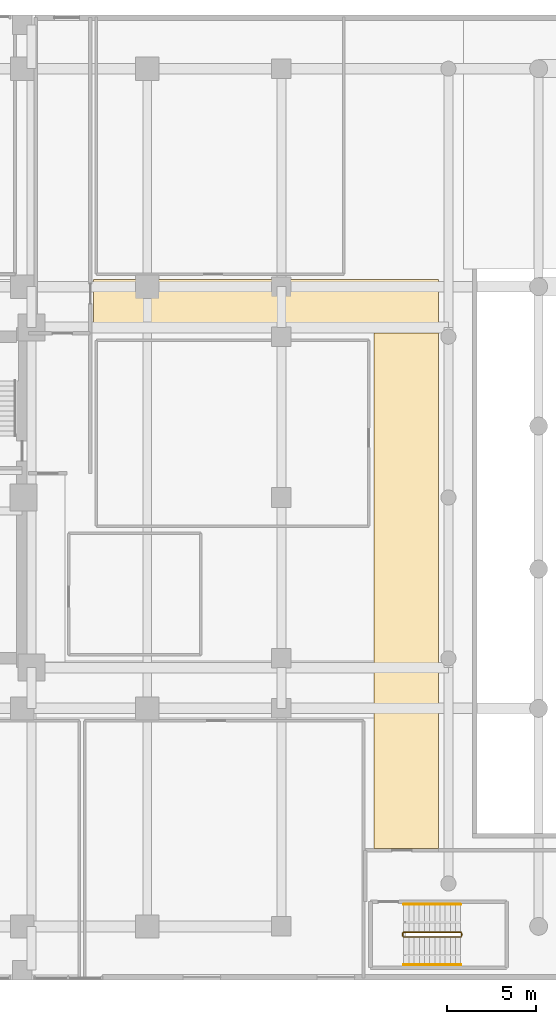
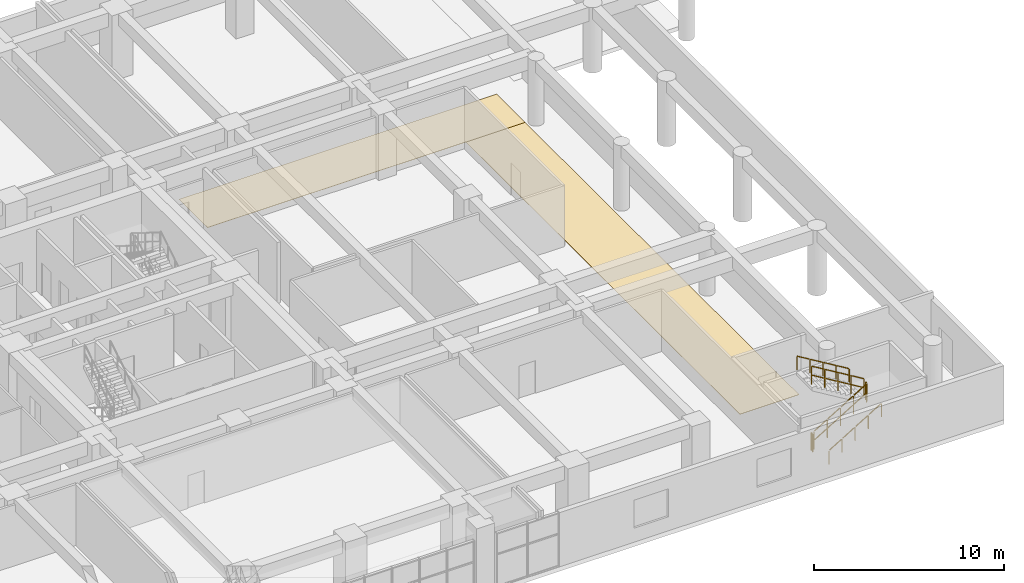
# One storey, part 24 of 24: 6 railings, 2 coverings.
"""IFC4 building model written with IfcOpenShell, lengths in metres."""

from ifc_helpers import new_model, si_unit, direction, frame, origin, origin_2d, place, context, subcontext, project, spatial, polyline, rectangle, outline, extrude, material, layer, layer_set, type_object, element, save


model = new_model("IFC4")

# Units and contexts
model_context = context("Model", 3, precision=1e-05, world=origin(), true_north=direction((0.0, 1.0)))
body_context = subcontext(model_context, "Body", "Model", "MODEL_VIEW")
ifc_project = project(units=[si_unit("LENGTHUNIT", "METRE"), si_unit("AREAUNIT", "SQUARE_METRE"), si_unit("VOLUMEUNIT", "CUBIC_METRE"), si_unit("PLANEANGLEUNIT", "RADIAN"), si_unit("MASSUNIT", "GRAM", prefix="KILO")], contexts=[model_context])

# Site, building, storey
site_placement = place(None, origin())
site = spatial("IfcSite", under=ifc_project, at=site_placement, CompositionType="ELEMENT")
building_placement = place(site_placement, origin())
building = spatial("IfcBuilding", under=site, at=building_placement, Name="Saelheon Loggia Tower", CompositionType="ELEMENT")
storey_placement = place(building_placement, origin())
storey = spatial("IfcBuildingStorey", under=building, at=storey_placement, Name="L00", CompositionType="ELEMENT", Elevation=0.0)

# Coverings
ifc_material_1 = material(Name="Vitrified Porcelain Floor Tile", Category="ceramic")
ifc_layer = layer(ifc_material_1, 0.02001953125)
ifc_layer_set = layer_set([ifc_layer], Name="Vitrified Porcelain Floor Tile")
covering_type = type_object("IfcCoveringType", Name="Cov_Floor_Porcelain", PredefinedType="FLOORING", material=ifc_layer_set)
covering_1_placement = place(storey_placement, origin())
element("IfcCovering", 1, at=covering_1_placement, inside=storey, type_object=covering_type, Name="L00 Corridor Porcelain Flooring", PredefinedType="FLOORING", context=body_context, shape_type="SweptSolid", body=[
    extrude(outline(polyline([(48.5, 36.199951171875), (67.800048828125, 36.199951171875), (67.800048828125, 39.199951171875), (48.5, 39.199951171875), (48.5, 36.199951171875)])), origin(), (0.0, 0.0, 1.0), 0.02001953125),
])
covering_2_placement = place(storey_placement, origin())
element("IfcCovering", 2, at=covering_2_placement, inside=storey, type_object=covering_type, Name="L00 Corridor Porcelain Flooring", PredefinedType="FLOORING", context=body_context, shape_type="SweptSolid", body=[
    extrude(outline(polyline([(64.199951171875, 7.360107421875), (67.800048828125, 7.360107421875), (67.800048828125, 36.199951171875), (64.199951171875, 36.199951171875), (64.199951171875, 7.360107421875)])), origin(), (0.0, 0.0, 1.0), 0.02001953125),
])

# Railings
ifc_material_2 = material(Name="Galvanised Steel S275 Stairwell Guardrail", Category="steel")
railing_type_1 = type_object("IfcRailingType", Name="Guard_StairWell_RL_STG", PredefinedType="GUARDRAIL", material=ifc_material_2)
railing_1_placement = place(storey_placement, frame((65.85009765625, 2.409912109375, 0.175048828125)))
element("IfcRailing", 3, at=railing_1_placement, inside=storey, type_object=railing_type_1, Name="L00 ST4 stair guard 1", PredefinedType="GUARDRAIL", context=body_context, shape_type="SweptSolid", body=[
    extrude(rectangle(XDim=0.048095703125, YDim=0.048095703125, at=origin_2d()), frame((0.028564453125, 0.0, 1.193115234375), z_axis=(0.856177665481, 0.0, 0.516681531633), x_axis=(0.0, 1.0, 0.0)), (0.0, 0.0, 1.0), 0.864990234375),
    extrude(rectangle(XDim=0.048095703125, YDim=0.048095703125, at=origin_2d()), frame((0.028564453125, 0.0, 0.6171875), z_axis=(0.856177665481, 0.0, 0.516681531633), x_axis=(0.0, 1.0, 0.0)), (0.0, 0.0, 1.0), 0.864990234375),
    extrude(rectangle(XDim=0.048095703125, YDim=0.048095703125, at=origin_2d()), frame((0.825927734375, 0.0, 1.67431640625), z_axis=(0.856177665481, 0.0, 0.516681531633), x_axis=(0.0, 1.0, 0.0)), (0.0, 0.0, 1.0), 0.864990234375),
    extrude(rectangle(XDim=0.048095703125, YDim=0.048095703125, at=origin_2d()), frame((0.825927734375, 0.0, 1.098388671875), z_axis=(0.856177665481, 0.0, 0.516681531633), x_axis=(0.0, 1.0, 0.0)), (0.0, 0.0, 1.0), 0.864990234375),
    extrude(rectangle(XDim=0.048095703125, YDim=0.048095703125, at=origin_2d()), frame((1.62353515625, 0.0, 2.155517578125), z_axis=(0.856177665481, 0.0, 0.516681531633), x_axis=(0.0, 1.0, 0.0)), (0.0, 0.0, 1.0), 0.864990234375),
    extrude(rectangle(XDim=0.048095703125, YDim=0.048095703125, at=origin_2d()), frame((1.62353515625, 0.0, 1.57958984375), z_axis=(0.856177665481, 0.0, 0.516681531633), x_axis=(0.0, 1.0, 0.0)), (0.0, 0.0, 1.0), 0.864990234375),
    extrude(rectangle(XDim=0.048095703125, YDim=0.048095703125, at=origin_2d()), frame((2.4208984375, 0.0, 2.636962890625), z_axis=(0.856177665481, 0.0, 0.516681531633), x_axis=(0.0, 1.0, 0.0)), (0.0, 0.0, 1.0), 0.864990234375),
    extrude(rectangle(XDim=0.048095703125, YDim=0.048095703125, at=origin_2d()), frame((2.4208984375, 0.0, 2.06103515625), z_axis=(0.856177665481, 0.0, 0.516681531633), x_axis=(0.0, 1.0, 0.0)), (0.0, 0.0, 1.0), 0.864990234375),
    extrude(rectangle(XDim=0.0419921875, YDim=0.0419921875, at=origin_2d()), origin(), (0.0, 0.0, 1.0), 1.14794921875),
    extrude(rectangle(XDim=0.0419921875, YDim=0.0419921875, at=origin_2d()), frame((0.79736328125, 0.0, 0.481201171875)), (0.0, 0.0, 1.0), 1.14794921875),
    extrude(rectangle(XDim=0.0419921875, YDim=0.0419921875, at=origin_2d()), frame((1.594970703125, 0.0, 0.96240234375)), (0.0, 0.0, 1.0), 1.14794921875),
    extrude(rectangle(XDim=0.0419921875, YDim=0.0419921875, at=origin_2d()), frame((2.392578125, 0.0, 1.44384765625)), (0.0, 0.0, 1.0), 1.14794921875),
    extrude(rectangle(XDim=0.0419921875, YDim=0.0419921875, at=origin_2d()), frame((3.18994140625, 0.0, 1.925048828125)), (0.0, 0.0, 1.0), 1.14794921875),
])
railing_2_placement = place(storey_placement, frame((69.090087890625, 2.4599609375, 2.10009765625)))
element("IfcRailing", 4, at=railing_2_placement, inside=storey, type_object=railing_type_1, Name="L00 ST4 stair guard 2", PredefinedType="GUARDRAIL", context=body_context, shape_type="SweptSolid", body=[
    extrude(rectangle(XDim=0.048095703125, YDim=0.048095703125, at=origin_2d()), frame((0.0, 0.033203125, 1.17578125), z_axis=(0.0, 1.0, 0.0), x_axis=(-1.0, 0.0, 0.0)), (0.0, 0.0, 1.0), 0.09375),
    extrude(rectangle(XDim=0.048095703125, YDim=0.048095703125, at=origin_2d()), frame((0.0, 0.033203125, 0.60009765625), z_axis=(0.0, 1.0, 0.0), x_axis=(-1.0, 0.0, 0.0)), (0.0, 0.0, 1.0), 0.09375),
    extrude(rectangle(XDim=0.0419921875, YDim=0.0419921875, at=origin_2d()), origin(), (0.0, 0.0, 1.0), 1.14794921875),
    extrude(rectangle(XDim=0.0419921875, YDim=0.0419921875, at=origin_2d()), frame((0.0, 0.16015625, 0.0)), (0.0, 0.0, 1.0), 1.14794921875),
])
railing_3_placement = place(storey_placement, frame((69.0400390625, 2.669921875, 2.27490234375)))
element("IfcRailing", 5, at=railing_3_placement, inside=storey, type_object=railing_type_1, Name="L00 ST4 stair guard 3", PredefinedType="GUARDRAIL", context=body_context, shape_type="SweptSolid", body=[
    extrude(rectangle(XDim=0.048095703125, YDim=0.048095703125, at=origin_2d()), frame((-0.028564453125, 0.0, 1.193115234375), z_axis=(-0.856177665481, 0.0, 0.516681531633), x_axis=(0.0, -1.0, 0.0)), (0.0, 0.0, 1.0), 0.864990234375),
    extrude(rectangle(XDim=0.048095703125, YDim=0.048095703125, at=origin_2d()), frame((-0.028564453125, 0.0, 0.6171875), z_axis=(-0.856177665481, 0.0, 0.516681531633), x_axis=(0.0, -1.0, 0.0)), (0.0, 0.0, 1.0), 0.864990234375),
    extrude(rectangle(XDim=0.048095703125, YDim=0.048095703125, at=origin_2d()), frame((-0.825927734375, 0.0, 1.67431640625), z_axis=(-0.856177665481, 0.0, 0.516681531633), x_axis=(0.0, -1.0, 0.0)), (0.0, 0.0, 1.0), 0.864990234375),
    extrude(rectangle(XDim=0.048095703125, YDim=0.048095703125, at=origin_2d()), frame((-0.825927734375, 0.0, 1.098388671875), z_axis=(-0.856177665481, 0.0, 0.516681531633), x_axis=(0.0, -1.0, 0.0)), (0.0, 0.0, 1.0), 0.864990234375),
    extrude(rectangle(XDim=0.048095703125, YDim=0.048095703125, at=origin_2d()), frame((-1.62353515625, 0.0, 2.155517578125), z_axis=(-0.856177665481, 0.0, 0.516681531633), x_axis=(0.0, -1.0, 0.0)), (0.0, 0.0, 1.0), 0.864990234375),
    extrude(rectangle(XDim=0.048095703125, YDim=0.048095703125, at=origin_2d()), frame((-1.62353515625, 0.0, 1.57958984375), z_axis=(-0.856177665481, 0.0, 0.516681531633), x_axis=(0.0, -1.0, 0.0)), (0.0, 0.0, 1.0), 0.864990234375),
    extrude(rectangle(XDim=0.048095703125, YDim=0.048095703125, at=origin_2d()), frame((-2.4208984375, 0.0, 2.636962890625), z_axis=(-0.856177665481, 0.0, 0.516681531633), x_axis=(0.0, -1.0, 0.0)), (0.0, 0.0, 1.0), 0.864990234375),
    extrude(rectangle(XDim=0.048095703125, YDim=0.048095703125, at=origin_2d()), frame((-2.4208984375, 0.0, 2.06103515625), z_axis=(-0.856177665481, 0.0, 0.516681531633), x_axis=(0.0, -1.0, 0.0)), (0.0, 0.0, 1.0), 0.864990234375),
    extrude(rectangle(XDim=0.0419921875, YDim=0.0419921875, at=origin_2d()), origin(), (0.0, 0.0, 1.0), 1.14794921875),
    extrude(rectangle(XDim=0.0419921875, YDim=0.0419921875, at=origin_2d()), frame((-0.79736328125, 0.0, 0.481201171875)), (0.0, 0.0, 1.0), 1.14794921875),
    extrude(rectangle(XDim=0.0419921875, YDim=0.0419921875, at=origin_2d()), frame((-1.594970703125, 0.0, 0.96240234375)), (0.0, 0.0, 1.0), 1.14794921875),
    extrude(rectangle(XDim=0.0419921875, YDim=0.0419921875, at=origin_2d()), frame((-2.392578125, 0.0, 1.44384765625)), (0.0, 0.0, 1.0), 1.14794921875),
    extrude(rectangle(XDim=0.0419921875, YDim=0.0419921875, at=origin_2d()), frame((-3.18994140625, 0.0, 1.925048828125)), (0.0, 0.0, 1.0), 1.14794921875),
])
railing_4_placement = place(storey_placement, frame((65.800048828125, 2.4599609375, 0.0)))
element("IfcRailing", 6, at=railing_4_placement, inside=storey, type_object=railing_type_1, Name="L00 ST4 stair guard 4", PredefinedType="GUARDRAIL", context=body_context, shape_type="SweptSolid", body=[
    extrude(rectangle(XDim=0.048095703125, YDim=0.048095703125, at=origin_2d()), frame((0.0, 0.033203125, 1.17578125), z_axis=(0.0, 1.0, 0.0), x_axis=(-1.0, 0.0, 0.0)), (0.0, 0.0, 1.0), 0.09375),
    extrude(rectangle(XDim=0.048095703125, YDim=0.048095703125, at=origin_2d()), frame((0.0, 0.033203125, 0.60009765625), z_axis=(0.0, 1.0, 0.0), x_axis=(-1.0, 0.0, 0.0)), (0.0, 0.0, 1.0), 0.09375),
    extrude(rectangle(XDim=0.0419921875, YDim=0.0419921875, at=origin_2d()), origin(), (0.0, 0.0, 1.0), 1.14794921875),
    extrude(rectangle(XDim=0.0419921875, YDim=0.0419921875, at=origin_2d()), frame((0.0, 0.16015625, 0.0)), (0.0, 0.0, 1.0), 1.14794921875),
])
ifc_material_3 = material(Name="Stainless Steel 304 Tubular Handrail", Category="steel")
railing_type_2 = type_object("IfcRailingType", Name="Handrail_Stair_RL_HR1", PredefinedType="HANDRAIL", material=ifc_material_3)
railing_5_placement = place(storey_placement, frame((65.85009765625, 0.85009765625, 0.175048828125)))
element("IfcRailing", 7, at=railing_5_placement, inside=storey, type_object=railing_type_2, Name="L00 ST4 stair handrail 1", PredefinedType="HANDRAIL", context=body_context, shape_type="SweptSolid", body=[
    extrude(rectangle(XDim=0.048095703125, YDim=0.048095703125, at=origin_2d()), frame((0.028564453125, 0.0, 0.89306640625), z_axis=(0.856177665481, 0.0, 0.516681531633), x_axis=(0.0, 1.0, 0.0)), (0.0, 0.0, 1.0), 0.864990234375),
    extrude(rectangle(XDim=0.048095703125, YDim=0.048095703125, at=origin_2d()), frame((0.825927734375, 0.0, 1.374267578125), z_axis=(0.856177665481, 0.0, 0.516681531633), x_axis=(0.0, 1.0, 0.0)), (0.0, 0.0, 1.0), 0.864990234375),
    extrude(rectangle(XDim=0.048095703125, YDim=0.048095703125, at=origin_2d()), frame((1.62353515625, 0.0, 1.85546875), z_axis=(0.856177665481, 0.0, 0.516681531633), x_axis=(0.0, 1.0, 0.0)), (0.0, 0.0, 1.0), 0.864990234375),
    extrude(rectangle(XDim=0.048095703125, YDim=0.048095703125, at=origin_2d()), frame((2.4208984375, 0.0, 2.3369140625), z_axis=(0.856177665481, 0.0, 0.516681531633), x_axis=(0.0, 1.0, 0.0)), (0.0, 0.0, 1.0), 0.864990234375),
    extrude(rectangle(XDim=0.0419921875, YDim=0.0419921875, at=origin_2d()), origin(), (0.0, 0.0, 1.0), 0.847900390625),
    extrude(rectangle(XDim=0.0419921875, YDim=0.0419921875, at=origin_2d()), frame((0.79736328125, 0.0, 0.481201171875)), (0.0, 0.0, 1.0), 0.847900390625),
    extrude(rectangle(XDim=0.0419921875, YDim=0.0419921875, at=origin_2d()), frame((1.594970703125, 0.0, 0.96240234375)), (0.0, 0.0, 1.0), 0.847900390625),
    extrude(rectangle(XDim=0.0419921875, YDim=0.0419921875, at=origin_2d()), frame((2.392578125, 0.0, 1.44384765625)), (0.0, 0.0, 1.0), 0.847900390625),
    extrude(rectangle(XDim=0.0419921875, YDim=0.0419921875, at=origin_2d()), frame((3.18994140625, 0.0, 1.925048828125)), (0.0, 0.0, 1.0), 0.847900390625),
])
railing_6_placement = place(storey_placement, frame((69.0400390625, 4.22998046875, 2.27490234375)))
element("IfcRailing", 8, at=railing_6_placement, inside=storey, type_object=railing_type_2, Name="L00 ST4 stair handrail 2", PredefinedType="HANDRAIL", context=body_context, shape_type="SweptSolid", body=[
    extrude(rectangle(XDim=0.048095703125, YDim=0.048095703125, at=origin_2d()), frame((-0.028564453125, 0.0, 0.89306640625), z_axis=(-0.856177665481, 0.0, 0.516681531633), x_axis=(0.0, -1.0, 0.0)), (0.0, 0.0, 1.0), 0.864990234375),
    extrude(rectangle(XDim=0.048095703125, YDim=0.048095703125, at=origin_2d()), frame((-0.825927734375, 0.0, 1.374267578125), z_axis=(-0.856177665481, 0.0, 0.516681531633), x_axis=(0.0, -1.0, 0.0)), (0.0, 0.0, 1.0), 0.864990234375),
    extrude(rectangle(XDim=0.048095703125, YDim=0.048095703125, at=origin_2d()), frame((-1.62353515625, 0.0, 1.85546875), z_axis=(-0.856177665481, 0.0, 0.516681531633), x_axis=(0.0, -1.0, 0.0)), (0.0, 0.0, 1.0), 0.864990234375),
    extrude(rectangle(XDim=0.048095703125, YDim=0.048095703125, at=origin_2d()), frame((-2.4208984375, 0.0, 2.3369140625), z_axis=(-0.856177665481, 0.0, 0.516681531633), x_axis=(0.0, -1.0, 0.0)), (0.0, 0.0, 1.0), 0.864990234375),
    extrude(rectangle(XDim=0.0419921875, YDim=0.0419921875, at=origin_2d()), origin(), (0.0, 0.0, 1.0), 0.847900390625),
    extrude(rectangle(XDim=0.0419921875, YDim=0.0419921875, at=origin_2d()), frame((-0.79736328125, 0.0, 0.481201171875)), (0.0, 0.0, 1.0), 0.847900390625),
    extrude(rectangle(XDim=0.0419921875, YDim=0.0419921875, at=origin_2d()), frame((-1.594970703125, 0.0, 0.96240234375)), (0.0, 0.0, 1.0), 0.847900390625),
    extrude(rectangle(XDim=0.0419921875, YDim=0.0419921875, at=origin_2d()), frame((-2.392578125, 0.0, 1.44384765625)), (0.0, 0.0, 1.0), 0.847900390625),
    extrude(rectangle(XDim=0.0419921875, YDim=0.0419921875, at=origin_2d()), frame((-3.18994140625, 0.0, 1.925048828125)), (0.0, 0.0, 1.0), 0.847900390625),
])

save(model, "model.ifc")
